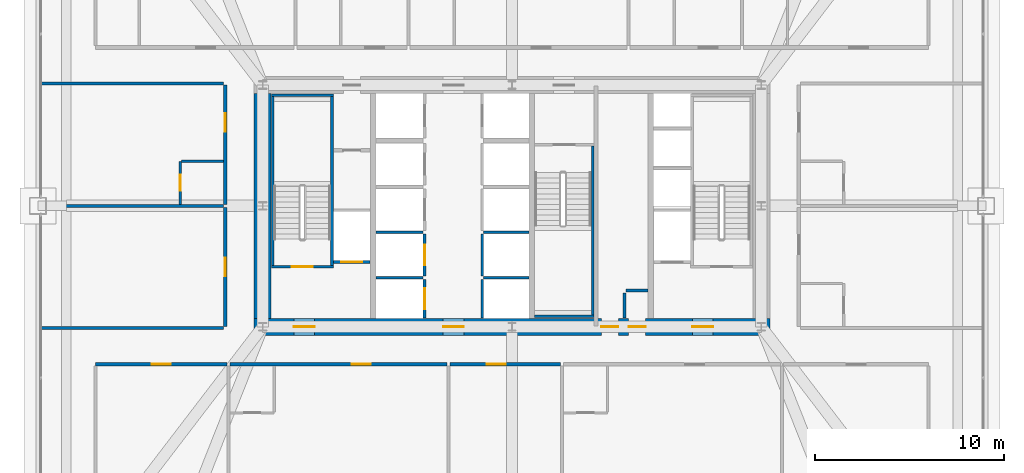
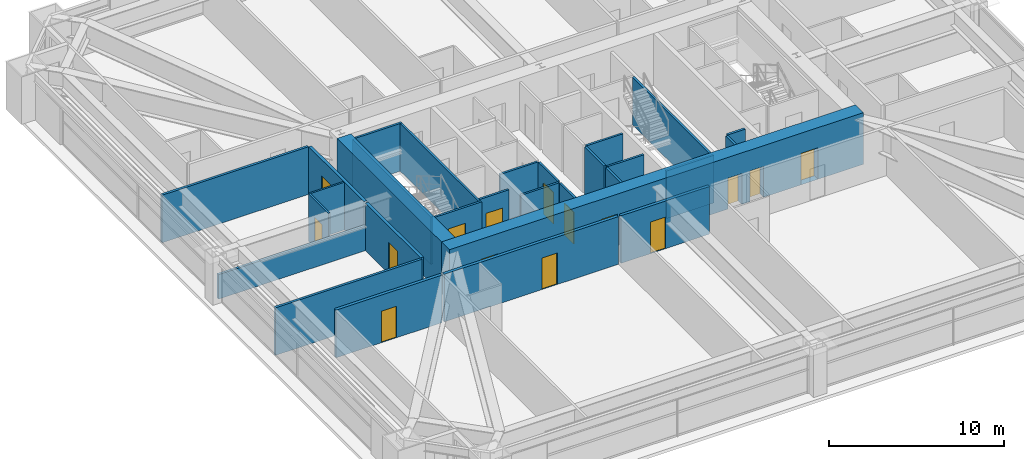
# One storey, part 40 of 44: 29 walls, 15 doors, 15 openings.
"""IFC4 building model written with IfcOpenShell, lengths in metres."""

from ifc_helpers import new_model, si_unit, direction, frame, frame_2d, origin, place, context, subcontext, project, spatial, rectangle, extrude, source, transform, mapped, material, layer, layer_set, type_object, element, fill, save


model = new_model("IFC4")

# Units and contexts
model_context = context("Model", 3, precision=1e-05, world=origin(), true_north=direction((0.0, 1.0)))
body_context = subcontext(model_context, "Body", "Model", "MODEL_VIEW")
ifc_project = project(units=[si_unit("LENGTHUNIT", "METRE"), si_unit("AREAUNIT", "SQUARE_METRE"), si_unit("VOLUMEUNIT", "CUBIC_METRE"), si_unit("PLANEANGLEUNIT", "RADIAN"), si_unit("MASSUNIT", "GRAM", prefix="KILO"), si_unit("THERMODYNAMICTEMPERATUREUNIT", "KELVIN"), si_unit("POWERUNIT", "WATT")], contexts=[model_context])

# Site, building, storey
site_placement = place(None, origin())
site = spatial("IfcSite", under=ifc_project, at=site_placement, CompositionType="ELEMENT")
building_placement = place(site_placement, origin())
building = spatial("IfcBuilding", under=site, at=building_placement, Name="Yuzanri Waterfront Tower", CompositionType="ELEMENT")
storey_placement = place(building_placement, frame((0.0, 0.0, 82.0)))
storey = spatial("IfcBuildingStorey", under=building, at=storey_placement, Name="L21", CompositionType="ELEMENT", Elevation=82.0)

# Wall, opening, door
ifc_material_1 = material(Name="Moisture-Resistant Gypsum Stud Wall", Category="gypsum")
ifc_layer_1 = layer(ifc_material_1, 0.1201171875)
ifc_layer_set_1 = layer_set([ifc_layer_1], Name="Moisture-Resistant Gypsum Stud Wall")
wall_type_1 = type_object("IfcWallType", Name="Bathroom and Kitchen Wet Partition 120", PredefinedType="PARTITIONING", material=ifc_layer_set_1)
wall_1_placement = place(storey_placement, frame((19.43994140625, 25.8798828125, 0.0), z_axis=(0.0, 0.0, 1.0), x_axis=(0.0, 1.0, 0.0)))
wall_1 = element("IfcWall", 1, at=wall_1_placement, inside=storey, type_object=wall_type_1, Name="L21 Partition UW-L21-W2-BW", PredefinedType="PARTITIONING", context=body_context, shape_type="SweptSolid", body=[
    extrude(rectangle(XDim=2.280029296875, YDim=0.1201171875, at=frame_2d((1.14013671875, 0.0))), origin(), (0.0, 0.0, 1.0), 3.320068359375),
])
opening_1_placement = place(wall_1_placement, frame((0.715087890625, 0.0, 0.0)))
opening_1 = element("IfcOpeningElement", 2, at=opening_1_placement, cuts=wall_1, Name="Opening ID-0850", PredefinedType="OPENING", context=body_context, shape_type="SweptSolid", body=[
    extrude(rectangle(XDim=0.85009765625, YDim=2.10009765625, at=frame_2d((0.425048828125, 1.050048828125))), frame((0.0, 0.074951171875, 0.0), z_axis=(0.0, -1.0, 0.0), x_axis=(1.0, 0.0, 0.0)), (0.0, 0.0, 1.0), 0.14990234375),
])
ifc_material_2 = material(Name="Moisture-Resistant Lacquered Timber", Category="wood")
door_type_1 = type_object("IfcDoorType", Name="En-Suite Bathroom and Kitchen Swing Door 850x2100", OperationType="NOTDEFINED", PredefinedType="DOOR", material=ifc_material_2)
shared_shape_1 = source(origin(), body_context, "Body", "SweptSolid", [
    extrude(rectangle(XDim=0.85009765625, YDim=2.10009765625, at=frame_2d((0.425048828125, 1.050048828125))), frame((0.0, 0.02490234375, 0.0), z_axis=(0.0, -1.0, 0.0), x_axis=(1.0, 0.0, 0.0)), (0.0, 0.0, 1.0), 0.050048828125),
])
door_1_placement = place(opening_1_placement, origin())
door_1 = element("IfcDoor", 3, at=door_1_placement, inside=storey, type_object=door_type_1, Name="L21 Guest En-Suite Door", OperationType="SINGLE_SWING_LEFT", OverallHeight=2.10009765625, OverallWidth=0.85009765625, PredefinedType="DOOR", context=body_context, shape_type="MappedRepresentation", body=[
    mapped(shared_shape_1, transform((0.0, 0.0, 0.0), scale=1.0)),
])
fill(opening_1, door_1)

# Wall, openings, doors
ifc_material_3 = material(Name="Concrete C60", Category="concrete")
ifc_layer_2 = layer(ifc_material_3, 0.89990234375)
ifc_layer_set_2 = layer_set([ifc_layer_2], Name="Concrete C60")
wall_type_2 = type_object("IfcWallType", Name="Concrete C60 Lower Zone Core Shear Wall 900", PredefinedType="SHEAR", material=ifc_layer_set_2)
wall_2_placement = place(storey_placement, frame((23.35009765625, 19.39990234375, 0.0), z_axis=(0.0, 0.0, 1.0), x_axis=(1.0, 0.0, 0.0)))
wall_2 = element("IfcWall", 4, at=wall_2_placement, inside=storey, type_object=wall_type_2, Name="L21 Core South Shear Wall", PredefinedType="SHEAR", context=body_context, shape_type="SweptSolid", body=[
    extrude(rectangle(XDim=27.2998046875, YDim=0.89990234375, at=frame_2d((13.64990234375, 0.0))), origin(), (0.0, 0.0, 1.0), 3.60009765625),
])
opening_2_placement = place(wall_2_placement, frame((2.10009765625, 0.0, 0.0)))
opening_2 = element("IfcOpeningElement", 5, at=opening_2_placement, cuts=wall_2, Name="Opening FD-1100", PredefinedType="OPENING", context=body_context, shape_type="SweptSolid", body=[
    extrude(rectangle(XDim=1.10009765625, YDim=2.199951171875, at=frame_2d((0.550048828125, 1.10009765625))), frame((0.0, 0.46484375, 0.0), z_axis=(0.0, -1.0, 0.0), x_axis=(1.0, 0.0, 0.0)), (0.0, 0.0, 1.0), 0.9296875),
])
opening_3_placement = place(wall_2_placement, frame((10.0, 0.0, 0.0)))
opening_3 = element("IfcOpeningElement", 6, at=opening_3_placement, cuts=wall_2, Name="Opening FD-1100", PredefinedType="OPENING", context=body_context, shape_type="SweptSolid", body=[
    extrude(rectangle(XDim=1.10009765625, YDim=2.199951171875, at=frame_2d((0.550048828125, 1.10009765625))), frame((0.0, 0.46484375, 0.0), z_axis=(0.0, -1.0, 0.0), x_axis=(1.0, 0.0, 0.0)), (0.0, 0.0, 1.0), 0.9296875),
])
opening_4_placement = place(wall_2_placement, frame((23.199951171875, 0.0, 0.0)))
opening_4 = element("IfcOpeningElement", 7, at=opening_4_placement, cuts=wall_2, Name="Opening FD-1100", PredefinedType="OPENING", context=body_context, shape_type="SweptSolid", body=[
    extrude(rectangle(XDim=1.10009765625, YDim=2.199951171875, at=frame_2d((0.550048828125, 1.10009765625))), frame((0.0, 0.46484375, 0.0), z_axis=(0.0, -1.0, 0.0), x_axis=(1.0, 0.0, 0.0)), (0.0, 0.0, 1.0), 0.9296875),
])
opening_5_placement = place(wall_2_placement, frame((19.820068359375, 0.0, 0.0)))
opening_5 = element("IfcOpeningElement", 8, at=opening_5_placement, cuts=wall_2, Name="Opening FD-0900", PredefinedType="OPENING", context=body_context, shape_type="SweptSolid", body=[
    extrude(rectangle(XDim=0.89990234375, YDim=2.14990234375, at=frame_2d((0.449951171875, 1.074951171875))), frame((0.0, 0.46484375, 0.0), z_axis=(0.0, -1.0, 0.0), x_axis=(1.0, 0.0, 0.0)), (0.0, 0.0, 1.0), 0.9296875),
])
opening_6_placement = place(wall_2_placement, frame((18.3798828125, 0.0, 0.0)))
opening_6 = element("IfcOpeningElement", 9, at=opening_6_placement, cuts=wall_2, Name="Opening FD-0900", PredefinedType="OPENING", context=body_context, shape_type="SweptSolid", body=[
    extrude(rectangle(XDim=0.89990234375, YDim=2.14990234375, at=frame_2d((0.449951171875, 1.074951171875))), frame((0.0, 0.46484375, 0.0), z_axis=(0.0, -1.0, 0.0), x_axis=(1.0, 0.0, 0.0)), (0.0, 0.0, 1.0), 0.9296875),
])
ifc_material_4 = material(Name="Painted Galvanized Fire Steel", Category="steel")
door_type_2 = type_object("IfcDoorType", Name="Smoke-Proof Stair and Lobby Fire Door 1100x2200", OperationType="NOTDEFINED", PredefinedType="DOOR", material=ifc_material_4)
shared_shape_2 = source(origin(), body_context, "Body", "SweptSolid", [
    extrude(rectangle(XDim=1.10009765625, YDim=2.199951171875, at=frame_2d((0.550048828125, 1.10009765625))), frame((0.0, 0.02490234375, 0.0), z_axis=(0.0, -1.0, 0.0), x_axis=(1.0, 0.0, 0.0)), (0.0, 0.0, 1.0), 0.050048828125),
])
door_2_placement = place(opening_2_placement, origin())
door_2 = element("IfcDoor", 10, at=door_2_placement, inside=storey, type_object=door_type_2, Name="L21 West Firefighting Lobby Door", OperationType="SINGLE_SWING_LEFT", OverallHeight=2.199951171875, OverallWidth=1.10009765625, PredefinedType="DOOR", context=body_context, shape_type="MappedRepresentation", body=[
    mapped(shared_shape_2, transform((0.0, 0.0, 0.0), scale=1.0)),
])
fill(opening_2, door_2)
door_3_placement = place(opening_3_placement, origin())
door_3 = element("IfcDoor", 11, at=door_3_placement, inside=storey, type_object=door_type_2, Name="L21 Central Lift Lobby South Door", OperationType="SINGLE_SWING_RIGHT", OverallHeight=2.199951171875, OverallWidth=1.10009765625, PredefinedType="DOOR", context=body_context, shape_type="MappedRepresentation", body=[
    mapped(shared_shape_2, transform((0.0, 0.0, 0.0), scale=1.0)),
])
fill(opening_3, door_3)
door_4_placement = place(opening_4_placement, origin())
door_4 = element("IfcDoor", 12, at=door_4_placement, inside=storey, type_object=door_type_2, Name="L21 East Firefighting Lobby Door", OperationType="SINGLE_SWING_LEFT", OverallHeight=2.199951171875, OverallWidth=1.10009765625, PredefinedType="DOOR", context=body_context, shape_type="MappedRepresentation", body=[
    mapped(shared_shape_2, transform((0.0, 0.0, 0.0), scale=1.0)),
])
fill(opening_4, door_4)
ifc_material_5 = material(Name="Painted Galvanized Fire Steel", Category="steel")
door_type_3 = type_object("IfcDoorType", Name="Riser and Service Room Fire Door 900x2150", OperationType="NOTDEFINED", PredefinedType="DOOR", material=ifc_material_5)
shared_shape_3 = source(origin(), body_context, "Body", "SweptSolid", [
    extrude(rectangle(XDim=0.89990234375, YDim=2.14990234375, at=frame_2d((0.449951171875, 1.074951171875))), frame((0.0, 0.02490234375, 0.0), z_axis=(0.0, -1.0, 0.0), x_axis=(1.0, 0.0, 0.0)), (0.0, 0.0, 1.0), 0.050048828125),
])
door_5_placement = place(opening_5_placement, origin())
door_5 = element("IfcDoor", 13, at=door_5_placement, inside=storey, type_object=door_type_3, Name="L21 East Wet Riser Door", OperationType="SINGLE_SWING_RIGHT", OverallHeight=2.14990234375, OverallWidth=0.89990234375, PredefinedType="DOOR", context=body_context, shape_type="MappedRepresentation", body=[
    mapped(shared_shape_3, transform((0.0, 0.0, 0.0), scale=1.0)),
])
fill(opening_5, door_5)
door_6_placement = place(opening_6_placement, origin())
door_6 = element("IfcDoor", 14, at=door_6_placement, inside=storey, type_object=door_type_3, Name="L21 Housekeeping Room", OperationType="SINGLE_SWING_LEFT", OverallHeight=2.14990234375, OverallWidth=0.89990234375, PredefinedType="DOOR", context=body_context, shape_type="MappedRepresentation", body=[
    mapped(shared_shape_3, transform((0.0, 0.0, 0.0), scale=1.0)),
])
fill(opening_6, door_6)

# Wall, opening, door
ifc_material_6 = material(Name="Concrete C40", Category="concrete")
ifc_layer_3 = layer(ifc_material_6, 0.139892578125)
ifc_layer_set_3 = layer_set([ifc_layer_3], Name="Concrete C40")
wall_type_3 = type_object("IfcWallType", Name="Core Stair Liner and Hoistway Shaft Wall 140", PredefinedType="SOLIDWALL", material=ifc_layer_set_3)
wall_3_placement = place(storey_placement, frame((27.56005859375, 22.830078125, 0.0), z_axis=(0.0, 0.0, 1.0), x_axis=(1.0, 0.0, 0.0)))
wall_3 = element("IfcWall", 15, at=wall_3_placement, inside=storey, type_object=wall_type_3, Name="L21 Lift FL-01 Front Shaft Wall", PredefinedType="SOLIDWALL", context=body_context, shape_type="SweptSolid", body=[
    extrude(rectangle(XDim=1.919921875, YDim=0.139892578125, at=frame_2d((0.9599609375, 0.0))), origin(), (0.0, 0.0, 1.0), 3.320068359375),
])
opening_7_placement = place(wall_3_placement, frame((0.409912109375, 0.0, 0.0)))
opening_7 = element("IfcOpeningElement", 16, at=opening_7_placement, cuts=wall_3, Name="Opening LD-FL-01", PredefinedType="OPENING", context=body_context, shape_type="SweptSolid", body=[
    extrude(rectangle(XDim=1.10009765625, YDim=2.199951171875, at=frame_2d((0.550048828125, 1.10009765625))), frame((0.0, 0.0849609375, 0.0), z_axis=(0.0, -1.0, 0.0), x_axis=(1.0, 0.0, 0.0)), (0.0, 0.0, 1.0), 0.169677734375),
])
ifc_material_7 = material(Name="Brushed Bronze and Stainless Steel Cab", Category="steel")
door_type_4 = type_object("IfcDoorType", Name="Center-Parting Bronze Lift Landing Sliding Door 1100x2200", OperationType="NOTDEFINED", PredefinedType="DOOR", material=ifc_material_7)
shared_shape_4 = source(origin(), body_context, "Body", "SweptSolid", [
    extrude(rectangle(XDim=1.10009765625, YDim=2.199951171875, at=frame_2d((0.550048828125, 1.10009765625))), frame((0.0, 0.02490234375, 0.0), z_axis=(0.0, -1.0, 0.0), x_axis=(1.0, 0.0, 0.0)), (0.0, 0.0, 1.0), 0.050048828125),
])
door_7_placement = place(opening_7_placement, origin())
door_7 = element("IfcDoor", 17, at=door_7_placement, inside=storey, type_object=door_type_4, Name="L21 FL-01 Lift Landing Sliding Door", OperationType="SLIDING_TO_LEFT", OverallHeight=2.199951171875, OverallWidth=1.10009765625, PredefinedType="DOOR", context=body_context, shape_type="MappedRepresentation", body=[
    mapped(shared_shape_4, transform((0.0, 0.0, 0.0), scale=1.0)),
])
fill(opening_7, door_7)

wall_4_placement = place(storey_placement, frame((32.3701171875, 19.860107421875, 0.0), z_axis=(0.0, 0.0, 1.0), x_axis=(0.0, 1.0, 0.0)))
wall_4 = element("IfcWall", 18, at=wall_4_placement, inside=storey, type_object=wall_type_3, Name="L21 Lift PL-01 Front Shaft Wall", PredefinedType="SOLIDWALL", context=body_context, shape_type="SweptSolid", body=[
    extrude(rectangle(XDim=2.039794921875, YDim=0.139892578125, at=frame_2d((1.02001953125, 0.0))), origin(), (0.0, 0.0, 1.0), 3.320068359375),
])
opening_8_placement = place(wall_4_placement, frame((0.469970703125, 0.0, 0.0)))
opening_8 = element("IfcOpeningElement", 19, at=opening_8_placement, cuts=wall_4, Name="Opening LD-PL-01", PredefinedType="OPENING", context=body_context, shape_type="SweptSolid", body=[
    extrude(rectangle(XDim=1.10009765625, YDim=2.199951171875, at=frame_2d((0.550048828125, 1.10009765625))), frame((0.0, 0.0849609375, 0.0), z_axis=(0.0, -1.0, 0.0), x_axis=(1.0, 0.0, 0.0)), (0.0, 0.0, 1.0), 0.169677734375),
])
door_8_placement = place(opening_8_placement, origin())
door_8 = element("IfcDoor", 20, at=door_8_placement, inside=storey, type_object=door_type_4, Name="L21 PL-01 Lift Landing Sliding Door", OperationType="SLIDING_TO_LEFT", OverallHeight=2.199951171875, OverallWidth=1.10009765625, PredefinedType="DOOR", context=body_context, shape_type="MappedRepresentation", body=[
    mapped(shared_shape_4, transform((0.0, 0.0, 0.0), scale=1.0)),
])
fill(opening_8, door_8)

wall_5_placement = place(storey_placement, frame((32.3701171875, 22.10009765625, 0.0), z_axis=(0.0, 0.0, 1.0), x_axis=(0.0, 1.0, 0.0)))
wall_5 = element("IfcWall", 21, at=wall_5_placement, inside=storey, type_object=wall_type_3, Name="L21 Lift PL-02 Front Shaft Wall", PredefinedType="SOLIDWALL", context=body_context, shape_type="SweptSolid", body=[
    extrude(rectangle(XDim=2.199951171875, YDim=0.139892578125, at=frame_2d((1.10009765625, 0.0))), origin(), (0.0, 0.0, 1.0), 3.320068359375),
])
opening_9_placement = place(wall_5_placement, frame((0.550048828125, 0.0, 0.0)))
opening_9 = element("IfcOpeningElement", 22, at=opening_9_placement, cuts=wall_5, Name="Opening LD-PL-02", PredefinedType="OPENING", context=body_context, shape_type="SweptSolid", body=[
    extrude(rectangle(XDim=1.10009765625, YDim=2.199951171875, at=frame_2d((0.550048828125, 1.10009765625))), frame((0.0, 0.0849609375, 0.0), z_axis=(0.0, -1.0, 0.0), x_axis=(1.0, 0.0, 0.0)), (0.0, 0.0, 1.0), 0.169677734375),
])
door_9_placement = place(opening_9_placement, origin())
door_9 = element("IfcDoor", 23, at=door_9_placement, inside=storey, type_object=door_type_4, Name="L21 PL-02 Lift Landing Sliding Door", OperationType="SLIDING_TO_RIGHT", OverallHeight=2.199951171875, OverallWidth=1.10009765625, PredefinedType="DOOR", context=body_context, shape_type="MappedRepresentation", body=[
    mapped(shared_shape_4, transform((0.0, 0.0, 0.0), scale=1.0)),
])
fill(opening_9, door_9)

wall_6_placement = place(storey_placement, frame((24.260009765625, 22.570068359375, 0.0), z_axis=(0.0, 0.0, 1.0), x_axis=(1.0, 0.0, 0.0)))
wall_6 = element("IfcWall", 24, at=wall_6_placement, inside=storey, type_object=wall_type_3, Name="L21 Shaft Wall STW-L21-ST-01-S", PredefinedType="SOLIDWALL", context=body_context, shape_type="SweptSolid", body=[
    extrude(rectangle(XDim=3.280029296875, YDim=0.139892578125, at=frame_2d((1.64013671875, 0.0))), origin(), (0.0, 0.0, 1.0), 3.320068359375),
])
opening_10_placement = place(wall_6_placement, frame((1.090087890625, 0.0, 0.0)))
opening_10 = element("IfcOpeningElement", 25, at=opening_10_placement, cuts=wall_6, Name="Opening FD-1100", PredefinedType="OPENING", context=body_context, shape_type="SweptSolid", body=[
    extrude(rectangle(XDim=1.10009765625, YDim=2.199951171875, at=frame_2d((0.550048828125, 1.10009765625))), frame((0.0, 0.0849609375, 0.0), z_axis=(0.0, -1.0, 0.0), x_axis=(1.0, 0.0, 0.0)), (0.0, 0.0, 1.0), 0.169677734375),
])
door_10_placement = place(opening_10_placement, origin())
door_10 = element("IfcDoor", 26, at=door_10_placement, inside=storey, type_object=door_type_2, Name="L21 Stair ST-01 Fire Door", OperationType="SINGLE_SWING_RIGHT", OverallHeight=2.199951171875, OverallWidth=1.10009765625, PredefinedType="DOOR", context=body_context, shape_type="MappedRepresentation", body=[
    mapped(shared_shape_2, transform((0.0, 0.0, 0.0), scale=1.0)),
])
fill(opening_10, door_10)

ifc_material_8 = material(Name="Autoclaved Aerated Concrete Blockwork", Category="masonry")
ifc_layer_4 = layer(ifc_material_8, 0.199951171875)
ifc_layer_set_4 = layer_set([ifc_layer_4], Name="Autoclaved Aerated Concrete Blockwork")
wall_type_4 = type_object("IfcWallType", Name="Corridor and Unit Party Fire Wall 200", PredefinedType="PARTITIONING", material=ifc_layer_set_4)
wall_7_placement = place(storey_placement, frame((14.93994140625, 17.419921875, 0.0), z_axis=(0.0, 0.0, 1.0), x_axis=(1.0, 0.0, 0.0)))
wall_7 = element("IfcWall", 27, at=wall_7_placement, inside=storey, type_object=wall_type_4, Name="L21 Partition UW-L21-S1-CN", PredefinedType="PARTITIONING", context=body_context, shape_type="SweptSolid", body=[
    extrude(rectangle(XDim=6.97900390625, YDim=0.199951171875, at=frame_2d((3.489501953125, 0.0))), origin(), (0.0, 0.0, 1.0), 3.320068359375),
])
opening_11_placement = place(wall_7_placement, frame((2.989990234375, 0.0, 0.0)))
opening_11 = element("IfcOpeningElement", 28, at=opening_11_placement, cuts=wall_7, Name="Opening FD-1000", PredefinedType="OPENING", context=body_context, shape_type="SweptSolid", body=[
    extrude(rectangle(XDim=1.0, YDim=2.199951171875, at=frame_2d((0.5, 1.10009765625))), frame((0.0, 0.11474609375, 0.0), z_axis=(0.0, -1.0, 0.0), x_axis=(1.0, 0.0, 0.0)), (0.0, 0.0, 1.0), 0.229736328125),
])
ifc_material_9 = material(Name="Engineered Oak Fire-Rated Timber", Category="wood")
door_type_5 = type_object("IfcDoorType", Name="Guestroom and Apartment Entrance Fire Door 1000x2200", OperationType="NOTDEFINED", PredefinedType="DOOR", material=ifc_material_9)
shared_shape_5 = source(origin(), body_context, "Body", "SweptSolid", [
    extrude(rectangle(XDim=1.0, YDim=2.199951171875, at=frame_2d((0.5, 1.10009765625))), frame((0.0, 0.02490234375, 0.0), z_axis=(0.0, -1.0, 0.0), x_axis=(1.0, 0.0, 0.0)), (0.0, 0.0, 1.0), 0.050048828125),
])
door_11_placement = place(opening_11_placement, origin())
door_11 = element("IfcDoor", 29, at=door_11_placement, inside=storey, type_object=door_type_5, Name="L21 Presidential Club Room Entrance Door", OperationType="SINGLE_SWING_RIGHT", OverallHeight=2.199951171875, OverallWidth=1.0, PredefinedType="DOOR", context=body_context, shape_type="MappedRepresentation", body=[
    mapped(shared_shape_5, transform((0.0, 0.0, 0.0), scale=1.0)),
])
fill(opening_11, door_11)

wall_8_placement = place(storey_placement, frame((22.0791015625, 17.419921875, 0.0), z_axis=(0.0, 0.0, 1.0), x_axis=(1.0, 0.0, 0.0)))
wall_8 = element("IfcWall", 30, at=wall_8_placement, inside=storey, type_object=wall_type_4, Name="L21 Partition UW-L21-S2-CN", PredefinedType="PARTITIONING", context=body_context, shape_type="SweptSolid", body=[
    extrude(rectangle(XDim=11.48779296875, YDim=0.199951171875, at=frame_2d((5.743896484375, 0.0))), origin(), (0.0, 0.0, 1.0), 3.320068359375),
])
opening_12_placement = place(wall_8_placement, frame((6.448974609375, 0.0, 0.0)))
opening_12 = element("IfcOpeningElement", 31, at=opening_12_placement, cuts=wall_8, Name="Opening FD-1000", PredefinedType="OPENING", context=body_context, shape_type="SweptSolid", body=[
    extrude(rectangle(XDim=1.0, YDim=2.199951171875, at=frame_2d((0.5, 1.10009765625))), frame((0.0, 0.11474609375, 0.0), z_axis=(0.0, -1.0, 0.0), x_axis=(1.0, 0.0, 0.0)), (0.0, 0.0, 1.0), 0.229736328125),
])
door_12_placement = place(opening_12_placement, origin())
door_12 = element("IfcDoor", 32, at=door_12_placement, inside=storey, type_object=door_type_5, Name="L21 Royal Riverfront Suite Entrance Door", OperationType="SINGLE_SWING_LEFT", OverallHeight=2.199951171875, OverallWidth=1.0, PredefinedType="DOOR", context=body_context, shape_type="MappedRepresentation", body=[
    mapped(shared_shape_5, transform((0.0, 0.0, 0.0), scale=1.0)),
])
fill(opening_12, door_12)

wall_9_placement = place(storey_placement, frame((33.72705078125, 17.419921875, 0.0), z_axis=(0.0, 0.0, 1.0), x_axis=(1.0, 0.0, 0.0)))
wall_9 = element("IfcWall", 33, at=wall_9_placement, inside=storey, type_object=wall_type_4, Name="L21 Partition UW-L21-S3-CN", PredefinedType="PARTITIONING", context=body_context, shape_type="SweptSolid", body=[
    extrude(rectangle(XDim=5.83984375, YDim=0.199951171875, at=frame_2d((2.919921875, 0.0))), origin(), (0.0, 0.0, 1.0), 3.320068359375),
])
opening_13_placement = place(wall_9_placement, frame((1.946044921875, 0.0, 0.0)))
opening_13 = element("IfcOpeningElement", 34, at=opening_13_placement, cuts=wall_9, Name="Opening FD-1000", PredefinedType="OPENING", context=body_context, shape_type="SweptSolid", body=[
    extrude(rectangle(XDim=1.0, YDim=2.199951171875, at=frame_2d((0.5, 1.10009765625))), frame((0.0, 0.11474609375, 0.0), z_axis=(0.0, -1.0, 0.0), x_axis=(1.0, 0.0, 0.0)), (0.0, 0.0, 1.0), 0.229736328125),
])
door_13_placement = place(opening_13_placement, origin())
door_13 = element("IfcDoor", 35, at=door_13_placement, inside=storey, type_object=door_type_5, Name="L21 Horizon Club Room Entrance Door", OperationType="SINGLE_SWING_LEFT", OverallHeight=2.199951171875, OverallWidth=1.0, PredefinedType="DOOR", context=body_context, shape_type="MappedRepresentation", body=[
    mapped(shared_shape_5, transform((0.0, 0.0, 0.0), scale=1.0)),
])
fill(opening_13, door_13)

wall_10_placement = place(storey_placement, frame((21.820068359375, 19.409912109375, 0.0), z_axis=(0.0, 0.0, 1.0), x_axis=(0.0, 1.0, 0.0)))
wall_10 = element("IfcWall", 36, at=wall_10_placement, inside=storey, type_object=wall_type_4, Name="L21 Partition UW-L21-W1-CW", PredefinedType="PARTITIONING", context=body_context, shape_type="SweptSolid", body=[
    extrude(rectangle(XDim=6.31005859375, YDim=0.199951171875, at=frame_2d((3.155029296875, 0.0))), origin(), (0.0, 0.0, 1.0), 3.320068359375),
])
opening_14_placement = place(wall_10_placement, frame((2.655029296875, 0.0, 0.0)))
opening_14 = element("IfcOpeningElement", 37, at=opening_14_placement, cuts=wall_10, Name="Opening FD-1000", PredefinedType="OPENING", context=body_context, shape_type="SweptSolid", body=[
    extrude(rectangle(XDim=1.0, YDim=2.199951171875, at=frame_2d((0.5, 1.10009765625))), frame((0.0, 0.11474609375, 0.0), z_axis=(0.0, -1.0, 0.0), x_axis=(1.0, 0.0, 0.0)), (0.0, 0.0, 1.0), 0.229736328125),
])
door_14_placement = place(opening_14_placement, origin())
door_14 = element("IfcDoor", 38, at=door_14_placement, inside=storey, type_object=door_type_5, Name="L21 West Club Room Entrance Door", OperationType="SINGLE_SWING_LEFT", OverallHeight=2.199951171875, OverallWidth=1.0, PredefinedType="DOOR", context=body_context, shape_type="MappedRepresentation", body=[
    mapped(shared_shape_5, transform((0.0, 0.0, 0.0), scale=1.0)),
])
fill(opening_14, door_14)

wall_11_placement = place(storey_placement, frame((21.820068359375, 25.8798828125, 0.0), z_axis=(0.0, 0.0, 1.0), x_axis=(0.0, 1.0, 0.0)))
wall_11 = element("IfcWall", 39, at=wall_11_placement, inside=storey, type_object=wall_type_4, Name="L21 Partition UW-L21-W2-CW", PredefinedType="PARTITIONING", context=body_context, shape_type="SweptSolid", body=[
    extrude(rectangle(XDim=6.31005859375, YDim=0.199951171875, at=frame_2d((3.155029296875, 0.0))), origin(), (0.0, 0.0, 1.0), 3.320068359375),
])
opening_15_placement = place(wall_11_placement, frame((3.8349609375, 0.0, 0.0)))
opening_15 = element("IfcOpeningElement", 40, at=opening_15_placement, cuts=wall_11, Name="Opening FD-1000", PredefinedType="OPENING", context=body_context, shape_type="SweptSolid", body=[
    extrude(rectangle(XDim=1.0, YDim=2.199951171875, at=frame_2d((0.5, 1.10009765625))), frame((0.0, 0.11474609375, 0.0), z_axis=(0.0, -1.0, 0.0), x_axis=(1.0, 0.0, 0.0)), (0.0, 0.0, 1.0), 0.229736328125),
])
door_15_placement = place(opening_15_placement, origin())
door_15 = element("IfcDoor", 41, at=door_15_placement, inside=storey, type_object=door_type_5, Name="L21 West Guest Room Entrance Door", OperationType="SINGLE_SWING_RIGHT", OverallHeight=2.199951171875, OverallWidth=1.0, PredefinedType="DOOR", context=body_context, shape_type="MappedRepresentation", body=[
    mapped(shared_shape_5, transform((0.0, 0.0, 0.0), scale=1.0)),
])
fill(opening_15, door_15)

# Walls
shared_shape_6 = source(origin(), body_context, "Body", "SweptSolid", [
    extrude(rectangle(XDim=11.89990234375, YDim=0.89990234375, at=frame_2d((5.949951171875, 0.0))), origin(), (0.0, 0.0, 1.0), 3.60009765625),
])
wall_12_placement = place(storey_placement, frame((23.800048828125, 19.85009765625, 0.0), z_axis=(0.0, 0.0, 1.0), x_axis=(0.0, 1.0, 0.0)))
element("IfcWall", 42, at=wall_12_placement, inside=storey, type_object=wall_type_2, Name="L21 Core West Shear Wall", PredefinedType="SHEAR", context=body_context, shape_type="MappedRepresentation", body=[
    mapped(shared_shape_6, transform((0.0, 0.0, 0.0), scale=1.0)),
])
shared_shape_7 = source(origin(), body_context, "Body", "SweptSolid", [
    extrude(rectangle(XDim=2.5, YDim=0.139892578125, at=frame_2d((1.25, 0.0))), origin(), (0.0, 0.0, 1.0), 3.320068359375),
])
for number, where, z_axis, x_axis, name in (
    (43, (29.800048828125, 22.0, 0.0), (0.0, 0.0, 1.0), (1.0, 0.0, 0.0), "L21 Lift PL-01 Divider Wall"),
    (44, (29.800048828125, 24.39990234375, 0.0), (0.0, 0.0, 1.0), (1.0, 0.0, 0.0), "L21 Lift PL-02 Divider Wall"),
):
    element("IfcWall", number, at=place(storey_placement, frame(where, z_axis=z_axis, x_axis=x_axis)), inside=storey, type_object=wall_type_3, Name=name, PredefinedType="SOLIDWALL", context=body_context, shape_type="MappedRepresentation", body=[
        mapped(shared_shape_7, transform((0.0, 0.0, 0.0), scale=1.0)),
    ])
shared_shape_8 = source(origin(), body_context, "Body", "SweptSolid", [
    extrude(rectangle(XDim=2.039794921875, YDim=0.139892578125, at=frame_2d((1.02001953125, 0.0))), origin(), (0.0, 0.0, 1.0), 3.320068359375),
])
wall_13_placement = place(storey_placement, frame((35.429931640625, 19.860107421875, 0.0), z_axis=(0.0, 0.0, 1.0), x_axis=(0.0, 1.0, 0.0)))
element("IfcWall", 45, at=wall_13_placement, inside=storey, type_object=wall_type_3, Name="L21 Lift PL-05 Front Shaft Wall", PredefinedType="SOLIDWALL", context=body_context, shape_type="MappedRepresentation", body=[
    mapped(shared_shape_8, transform((0.0, 0.0, 0.0), scale=1.0)),
])
shared_shape_9 = source(origin(), body_context, "Body", "SweptSolid", [
    extrude(rectangle(XDim=2.39990234375, YDim=0.139892578125, at=frame_2d((1.199951171875, 0.0))), origin(), (0.0, 0.0, 1.0), 3.320068359375),
])
for number, where, z_axis, x_axis, name in (
    (46, (35.5, 22.0, 0.0), (0.0, 0.0, 1.0), (1.0, 0.0, 0.0), "L21 Lift PL-05 Divider Wall"),
    (47, (35.5, 24.39990234375, 0.0), (0.0, 0.0, 1.0), (1.0, 0.0, 0.0), "L21 Lift PL-06 Divider Wall"),
):
    element("IfcWall", number, at=place(storey_placement, frame(where, z_axis=z_axis, x_axis=x_axis)), inside=storey, type_object=wall_type_3, Name=name, PredefinedType="SOLIDWALL", context=body_context, shape_type="MappedRepresentation", body=[
        mapped(shared_shape_9, transform((0.0, 0.0, 0.0), scale=1.0)),
    ])
shared_shape_10 = source(origin(), body_context, "Body", "SweptSolid", [
    extrude(rectangle(XDim=2.199951171875, YDim=0.139892578125, at=frame_2d((1.10009765625, 0.0))), origin(), (0.0, 0.0, 1.0), 3.320068359375),
])
wall_14_placement = place(storey_placement, frame((35.429931640625, 22.10009765625, 0.0), z_axis=(0.0, 0.0, 1.0), x_axis=(0.0, 1.0, 0.0)))
element("IfcWall", 48, at=wall_14_placement, inside=storey, type_object=wall_type_3, Name="L21 Lift PL-06 Front Shaft Wall", PredefinedType="SOLIDWALL", context=body_context, shape_type="MappedRepresentation", body=[
    mapped(shared_shape_10, transform((0.0, 0.0, 0.0), scale=1.0)),
])
shared_shape_11 = source(origin(), body_context, "Body", "SweptSolid", [
    extrude(rectangle(XDim=3.280029296875, YDim=0.139892578125, at=frame_2d((1.64013671875, 0.0))), origin(), (0.0, 0.0, 1.0), 3.320068359375),
])
wall_15_placement = place(storey_placement, frame((24.260009765625, 31.64990234375, 0.0), z_axis=(0.0, 0.0, 1.0), x_axis=(1.0, 0.0, 0.0)))
element("IfcWall", 49, at=wall_15_placement, inside=storey, type_object=wall_type_3, Name="L21 Stair ST-01 North Shaft Wall", PredefinedType="SOLIDWALL", context=body_context, shape_type="MappedRepresentation", body=[
    mapped(shared_shape_11, transform((0.0, 0.0, 0.0), scale=1.0)),
])
shared_shape_12 = source(origin(), body_context, "Body", "SweptSolid", [
    extrude(rectangle(XDim=8.940185546875, YDim=0.139892578125, at=frame_2d((4.47021484375, 0.0))), origin(), (0.0, 0.0, 1.0), 3.320068359375),
])
for number, where, z_axis, x_axis, name in (
    (50, (24.330078125, 22.639892578125, 0.0), (0.0, 0.0, 1.0), (0.0, 1.0, 0.0), "L21 Stair ST-01 West Shaft Wall"),
    (51, (27.469970703125, 22.639892578125, 0.0), (0.0, 0.0, 1.0), (0.0, 1.0, 0.0), "L21 Stair ST-01 East Shaft Wall"),
):
    element("IfcWall", number, at=place(storey_placement, frame(where, z_axis=z_axis, x_axis=x_axis)), inside=storey, type_object=wall_type_3, Name=name, PredefinedType="SOLIDWALL", context=body_context, shape_type="MappedRepresentation", body=[
        mapped(shared_shape_12, transform((0.0, 0.0, 0.0), scale=1.0)),
    ])
shared_shape_13 = source(origin(), body_context, "Body", "SweptSolid", [
    extrude(rectangle(XDim=3.14013671875, YDim=0.139892578125, at=frame_2d((1.570068359375, 0.0))), origin(), (0.0, 0.0, 1.0), 3.320068359375),
])
wall_16_placement = place(storey_placement, frame((38.199951171875, 19.949951171875, 0.0), z_axis=(0.0, 0.0, 1.0), x_axis=(1.0, 0.0, 0.0)))
element("IfcWall", 52, at=wall_16_placement, inside=storey, type_object=wall_type_3, Name="L21 Stair ST-03 South Shaft Wall", PredefinedType="SOLIDWALL", context=body_context, shape_type="MappedRepresentation", body=[
    mapped(shared_shape_13, transform((0.0, 0.0, 0.0), scale=1.0)),
])
shared_shape_14 = source(origin(), body_context, "Body", "SweptSolid", [
    extrude(rectangle(XDim=8.93994140625, YDim=0.139892578125, at=frame_2d((4.469970703125, 0.0))), origin(), (0.0, 0.0, 1.0), 3.320068359375),
])
wall_17_placement = place(storey_placement, frame((41.27001953125, 20.02001953125, 0.0), z_axis=(0.0, 0.0, 1.0), x_axis=(0.0, 1.0, 0.0)))
element("IfcWall", 53, at=wall_17_placement, inside=storey, type_object=wall_type_3, Name="L21 Stair ST-03 East Shaft Wall", PredefinedType="SOLIDWALL", context=body_context, shape_type="MappedRepresentation", body=[
    mapped(shared_shape_14, transform((0.0, 0.0, 0.0), scale=1.0)),
])
ifc_material_10 = material(Name="Gypsum Fireboard Acoustic Stud Wall", Category="gypsum")
ifc_layer_5 = layer(ifc_material_10, 0.159912109375)
ifc_layer_set_5 = layer_set([ifc_layer_5], Name="Gypsum Fireboard Acoustic Stud Wall")
wall_type_5 = type_object("IfcWallType", Name="Acoustic Suite Demising Partition 160", PredefinedType="PARTITIONING", material=ifc_layer_set_5)
shared_shape_15 = source(origin(), body_context, "Body", "SweptSolid", [
    extrude(rectangle(XDim=1.33984375, YDim=0.159912109375, at=frame_2d((0.669921875, 0.0))), origin(), (0.0, 0.0, 1.0), 3.320068359375),
])
wall_18_placement = place(storey_placement, frame((42.949951171875, 19.860107421875, 0.0), z_axis=(0.0, 0.0, 1.0), x_axis=(0.0, 1.0, 0.0)))
element("IfcWall", 54, at=wall_18_placement, inside=storey, type_object=wall_type_5, Name="L21 East Wet Riser West Wall", PredefinedType="PARTITIONING", context=body_context, shape_type="MappedRepresentation", body=[
    mapped(shared_shape_15, transform((0.0, 0.0, 0.0), scale=1.0)),
])
shared_shape_16 = source(origin(), body_context, "Body", "SweptSolid", [
    extrude(rectangle(XDim=1.169921875, YDim=0.159912109375, at=frame_2d((0.5849609375, 0.0))), origin(), (0.0, 0.0, 1.0), 3.320068359375),
])
wall_19_placement = place(storey_placement, frame((43.030029296875, 21.320068359375, 0.0), z_axis=(0.0, 0.0, 1.0), x_axis=(1.0, 0.0, 0.0)))
element("IfcWall", 55, at=wall_19_placement, inside=storey, type_object=wall_type_5, Name="L21 East Wet Riser North Wall", PredefinedType="PARTITIONING", context=body_context, shape_type="MappedRepresentation", body=[
    mapped(shared_shape_16, transform((0.0, 0.0, 0.0), scale=1.0)),
])
shared_shape_17 = source(origin(), body_context, "Body", "SweptSolid", [
    extrude(rectangle(XDim=2.219970703125, YDim=0.1201171875, at=frame_2d((1.10986328125, 0.0))), origin(), (0.0, 0.0, 1.0), 3.320068359375),
])
wall_20_placement = place(storey_placement, frame((19.5, 28.159912109375, 0.0), z_axis=(0.0, 0.0, 1.0), x_axis=(1.0, 0.0, 0.0)))
element("IfcWall", 56, at=wall_20_placement, inside=storey, type_object=wall_type_1, Name="L21-W2 En-Suite Top Wall", PredefinedType="PARTITIONING", context=body_context, shape_type="MappedRepresentation", body=[
    mapped(shared_shape_17, transform((0.0, 0.0, 0.0), scale=1.0)),
])
shared_shape_18 = source(origin(), body_context, "Body", "SweptSolid", [
    extrude(rectangle(XDim=9.669921875, YDim=0.159912109375, at=frame_2d((4.8349609375, 0.0))), origin(), (0.0, 0.0, 1.0), 1.715087890625),
])
wall_21_placement = place(storey_placement, frame((12.050048828125, 25.800048828125, 0.0), z_axis=(0.0, 0.0, 1.0), x_axis=(1.0, 0.0, 0.0)))
element("IfcWall", 57, at=wall_21_placement, inside=storey, type_object=wall_type_5, Name="L21-W1 Wing Party Wall", PredefinedType="PARTITIONING", context=body_context, shape_type="MappedRepresentation", body=[
    mapped(shared_shape_18, transform((0.0, 0.0, 0.0), scale=1.0)),
])
shared_shape_19 = source(origin(), body_context, "Body", "SweptSolid", [
    extrude(rectangle(XDim=9.669921875, YDim=0.159912109375, at=frame_2d((4.8349609375, 0.0))), origin(), (0.0, 0.0, 1.0), 3.320068359375),
])
for number, where, z_axis, x_axis, name in (
    (58, (12.050048828125, 19.330078125, 0.0), (0.0, 0.0, 1.0), (1.0, 0.0, 0.0), "L21-W1 Wing South End Wall"),
    (59, (12.050048828125, 32.27001953125, 0.0), (0.0, 0.0, 1.0), (1.0, 0.0, 0.0), "L21-W2 Wing North End Wall"),
):
    element("IfcWall", number, at=place(storey_placement, frame(where, z_axis=z_axis, x_axis=x_axis)), inside=storey, type_object=wall_type_5, Name=name, PredefinedType="PARTITIONING", context=body_context, shape_type="MappedRepresentation", body=[
        mapped(shared_shape_19, transform((0.0, 0.0, 0.0), scale=1.0)),
    ])

save(model, "model.ifc")
